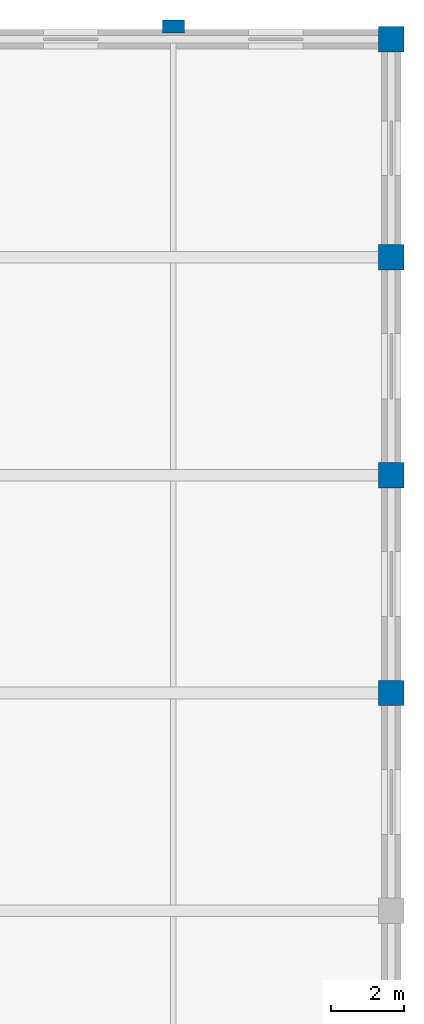
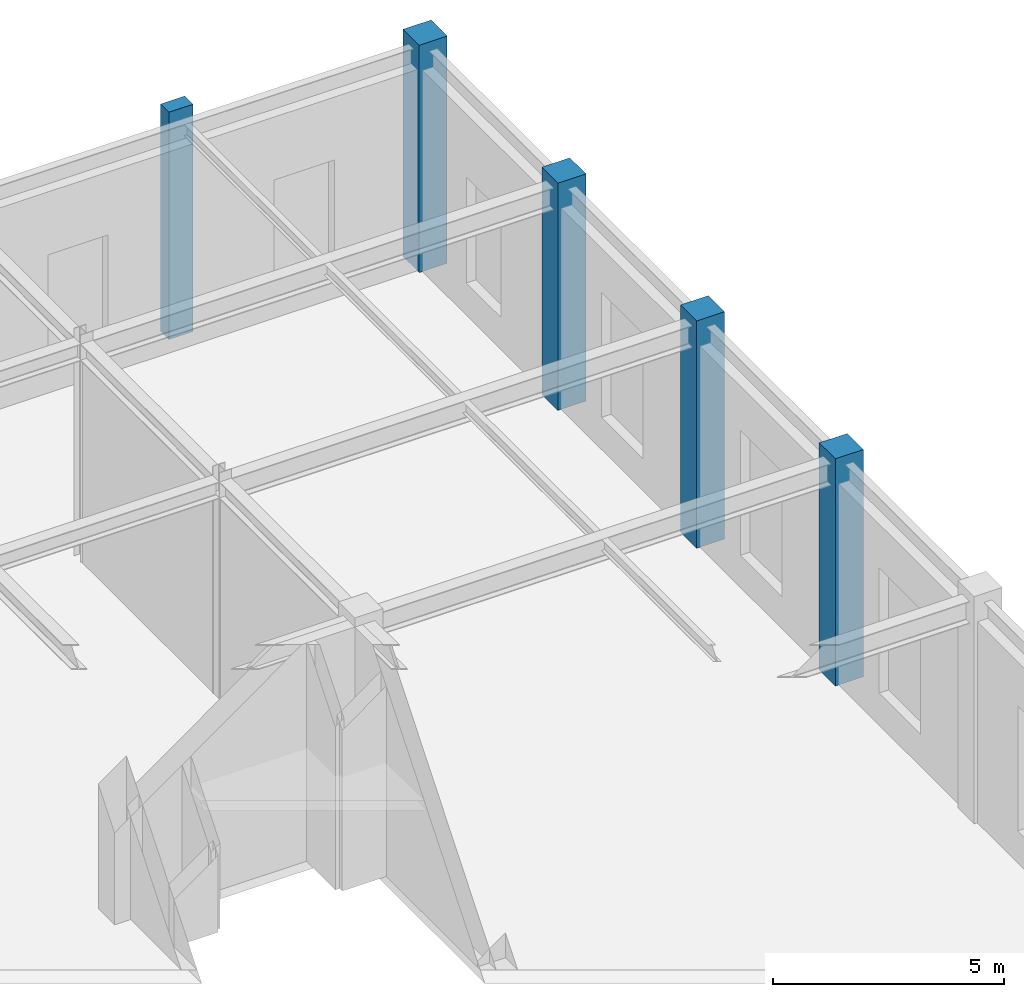
# One storey, part 27 of 108: 5 columns.
"""IFC4 building model written with IfcOpenShell, lengths in metres."""

import ifcopenshell
import ifcopenshell.guid

model = None  # the IFC model being written
_history = None  # IfcOwnerHistory: only IFC2X3 demands one
_inside = {}  # id of a spatial element -> (the spatial element, [elements in it])
_under = {}  # id of a project, library or spatial element -> (it, [spatial elements below it])
_declared = {}  # id of a project -> (the project, [libraries it declares])
_typed = {}  # id of a type object -> (the type object, [elements of that type])
_made_of = {}  # id of a material, layer set ... -> (it, [elements and type objects made of it])


def new_model(schema):
    """Start an empty IFC model of exactly this schema.

    Asked for "IFC4X3", IfcOpenShell would pick the latest addendum, in which some entities
    have other attributes; the version numbers below select the first issue.
    IFC2X3 requires an IfcOwnerHistory on every rooted entity: one is made here for all.
    """
    global model, _history
    if schema == "IFC4X3":
        model = ifcopenshell.file(schema_version=(4, 3, 0, 0))
    else:
        model = ifcopenshell.file(schema=schema)
    _inside.clear()
    _under.clear()
    _declared.clear()
    _typed.clear()
    _made_of.clear()
    _history = None
    if model.schema == "IFC2X3":
        org = make("IfcOrganization", Name="unknown")
        user = make(
            "IfcPersonAndOrganization",
            ThePerson=make("IfcPerson", FamilyName="unknown"),
            TheOrganization=org,
        )
        app = make(
            "IfcApplication",
            ApplicationDeveloper=org,
            Version="unknown",
            ApplicationFullName="unknown",
            ApplicationIdentifier="unknown",
        )
        _history = make(
            "IfcOwnerHistory",
            OwningUser=user,
            OwningApplication=app,
            ChangeAction="ADDED",
            CreationDate=0,
        )
    return model


def make(cls, **values):
    """One entity of the class cls with the attributes given. An attribute that is None is left unset."""
    return model.create_entity(
        cls, **{name: value for name, value in values.items() if value is not None}
    )


def rooted(cls, **values):
    """An entity with a GlobalId (a new one), such as an element, a storey or a relation."""
    return make(cls, GlobalId=ifcopenshell.guid.new(), OwnerHistory=_history, **values)


def si_unit(unit_type, name, prefix=None):
    """IfcSIUnit, for example si_unit("LENGTHUNIT", "METRE", prefix="MILLI")."""
    return make("IfcSIUnit", UnitType=unit_type, Prefix=prefix, Name=name)


def assignment(units):
    """IfcUnitAssignment: the units of a project."""
    return None if units is None else make("IfcUnitAssignment", Units=units)


def point(xyz):
    """IfcCartesianPoint."""
    return None if xyz is None else make("IfcCartesianPoint", Coordinates=xyz)


def direction(xyz):
    """IfcDirection."""
    return None if xyz is None else make("IfcDirection", DirectionRatios=xyz)


def frame(location, z_axis=None, x_axis=None):
    """IfcAxis2Placement3D, a coordinate frame: its origin and axes. An axis left out is left unset."""
    return make(
        "IfcAxis2Placement3D",
        Location=point(location),
        Axis=direction(z_axis),
        RefDirection=direction(x_axis),
    )


def frame_2d(location, x_axis=None):
    """IfcAxis2Placement2D, a coordinate frame in the plane: its origin and x axis."""
    return make(
        "IfcAxis2Placement2D", Location=point(location), RefDirection=direction(x_axis)
    )


def origin():
    """The frame at (0, 0, 0) with its axes left unset."""
    return frame((0.0, 0.0, 0.0))


def origin_2d():
    """The frame at (0, 0) in the plane with its x axis left unset."""
    return frame_2d((0.0, 0.0))


def place(relative_to, where):
    """IfcLocalPlacement: puts the frame where relative to a parent placement (None: the world)."""
    return make(
        "IfcLocalPlacement", PlacementRelTo=relative_to, RelativePlacement=where
    )


def context(
    kind, dimensions, precision=None, world=None, true_north=None, identifier=None
):
    """IfcGeometricRepresentationContext, for example the 3D "Model" context."""
    return make(
        "IfcGeometricRepresentationContext",
        ContextIdentifier=identifier,
        ContextType=kind,
        CoordinateSpaceDimension=dimensions,
        Precision=precision,
        WorldCoordinateSystem=world,
        TrueNorth=true_north,
    )


def subcontext(parent, identifier, kind, view, scale=None):
    """IfcGeometricRepresentationSubContext, for example "Body" below "Model"."""
    return make(
        "IfcGeometricRepresentationSubContext",
        ContextIdentifier=identifier,
        ContextType=kind,
        ParentContext=parent,
        TargetScale=scale,
        TargetView=view,
    )


def project(units=None, contexts=None):
    """IfcProject with its units and contexts."""
    return rooted(
        "IfcProject",
        Name="project",
        RepresentationContexts=contexts,
        UnitsInContext=assignment(units),
    )


def spatial(cls, under=None, at=None, **own):
    """A site, building, storey or space (cls), placed at a placement, below another one or the project."""
    s = rooted(cls, ObjectPlacement=at, **own)
    if under is not None:
        _under.setdefault(under.id(), (under, []))[1].append(s)
    return s


def profile(cls, at=None, kind="AREA", **sizes):
    """A parametric profile (cls). Its sizes go by their IFC names, for example OverallWidth=200.0."""
    return make(cls, ProfileType=kind, Position=at, **sizes)


def rectangle(**sizes):
    """IfcRectangleProfileDef."""
    return profile("IfcRectangleProfileDef", **sizes)


def extrude(swept, where, along, depth):
    """IfcExtrudedAreaSolid: the profile swept, set in the frame where, extruded along a direction by depth."""
    return make(
        "IfcExtrudedAreaSolid",
        SweptArea=swept,
        Position=where,
        ExtrudedDirection=direction(along),
        Depth=depth,
    )


def shape(context_of_items, identifier, shape_type, items):
    """IfcShapeRepresentation: the items that make up one representation, for example the "Body"."""
    return make(
        "IfcShapeRepresentation",
        ContextOfItems=context_of_items,
        RepresentationIdentifier=identifier,
        RepresentationType=shape_type,
        Items=items,
    )


def material(Name=None, Category=None):
    """IfcMaterial."""
    return make("IfcMaterial", Name=Name, Category=Category)


def material_profile(
    of_material, cross_section, Name=None, Category=None, Priority=None
):
    """IfcMaterialProfile: a cross section and its material."""
    return make(
        "IfcMaterialProfile",
        Name=Name,
        Material=of_material,
        Profile=cross_section,
        Priority=Priority,
        Category=Category,
    )


def profile_set(profiles, Name=None, composite=None):
    """IfcMaterialProfileSet."""
    return make(
        "IfcMaterialProfileSet",
        Name=Name,
        MaterialProfiles=profiles,
        CompositeProfile=composite,
    )


def made_of(thing, what):
    """Note that an element or type object is made of a material, layer set ...; save() writes the relation."""
    if what is not None:
        _made_of.setdefault(what.id(), (what, []))[1].append(thing)
    return thing


def type_object(cls, material=None, **own):
    """A type object (cls), such as IfcWallType, which elements share."""
    return made_of(rooted(cls, **own), material)


def element(
    cls,
    number,
    at=None,
    inside=None,
    cuts=None,
    type_object=None,
    material=None,
    context=None,
    identifier="Body",
    shape_type=None,
    held_by="IfcProductDefinitionShape",
    body=None,
    shapes=None,
    **own,
):
    """One element of the class cls, such as IfcWall. Its Tag is "e" and its number.

    at: its placement. inside: the storey or other place that contains it. cuts: it is an
    opening in that element (IfcRelVoidsElement). A single representation is given by context,
    identifier, shape_type and body (its items); several are given by shapes. held_by: the class
    of the entity that holds the representations. save() writes the other relations.
    """
    e = rooted(cls, Tag="e%d" % number, ObjectPlacement=at, **own)
    if body is not None:
        shapes = [shape(context, identifier, shape_type, body)]
    if shapes is not None:
        e.Representation = make(held_by, Representations=shapes)
    if inside is not None:
        _inside.setdefault(inside.id(), (inside, []))[1].append(e)
    if cuts is not None:
        rooted(
            "IfcRelVoidsElement", RelatingBuildingElement=cuts, RelatedOpeningElement=e
        )
    if type_object is not None:
        _typed.setdefault(type_object.id(), (type_object, []))[1].append(e)
    return made_of(e, material)


def aggregate(whole, parts):
    """IfcRelAggregates: a whole, such as a stair, and the parts it consists of."""
    return rooted("IfcRelAggregates", RelatingObject=whole, RelatedObjects=parts)


def save(model, path):
    """Write the relations noted so far, then the file.

    IfcRelAggregates (storeys below a building ...), IfcRelContainedInSpatialStructure (elements
    in a storey), IfcRelDefinesByType, IfcRelAssociatesMaterial and IfcRelDeclares: one each for
    every whole, place, type object, material and project.
    """
    for whole, parts in _under.values():
        aggregate(whole, parts)
    for where, things in _inside.values():
        rooted(
            "IfcRelContainedInSpatialStructure",
            RelatedElements=things,
            RelatingStructure=where,
        )
    for kind, things in _typed.values():
        rooted("IfcRelDefinesByType", RelatedObjects=things, RelatingType=kind)
    for what, things in _made_of.values():
        rooted("IfcRelAssociatesMaterial", RelatedObjects=things, RelatingMaterial=what)
    for by, libraries in _declared.values():
        rooted("IfcRelDeclares", RelatingContext=by, RelatedDefinitions=libraries)
    model.write(path)


model = new_model("IFC4")

# Units and contexts
model_context = context("Model", 3, precision=1e-05, world=origin(), true_north=direction((0.0, 1.0)))
body_context = subcontext(model_context, "Body", "Model", "MODEL_VIEW")
ifc_project = project(units=[si_unit("LENGTHUNIT", "METRE"), si_unit("AREAUNIT", "SQUARE_METRE"), si_unit("VOLUMEUNIT", "CUBIC_METRE"), si_unit("PLANEANGLEUNIT", "RADIAN"), si_unit("MASSUNIT", "GRAM", prefix="KILO")], contexts=[model_context])

# Site, building, storey
site_placement = place(None, origin())
site = spatial("IfcSite", under=ifc_project, at=site_placement, CompositionType="ELEMENT")
building_placement = place(site_placement, origin())
building = spatial("IfcBuilding", under=site, at=building_placement, Name="Zlatovratsky Civic Hall", CompositionType="ELEMENT")
storey_placement = place(building_placement, frame((0.0, 0.0, 6.0)))
storey = spatial("IfcBuildingStorey", under=building, at=storey_placement, Name="L02", CompositionType="ELEMENT", Elevation=6.0)

# Columns
ifc_material = material(Name="Concrete C35/45 (B40)", Category="concrete")
ifc_material_profile_1 = material_profile(ifc_material, rectangle(XDim=0.699951171875, YDim=0.699951171875, at=origin_2d()), Name="RC 700x700")
ifc_profile_set_1 = profile_set([ifc_material_profile_1], Name="Concrete C35/45 (B40)")
column_type_1 = type_object("IfcColumnType", Name="Col_CorePier_RC700", PredefinedType="COLUMN", material=ifc_profile_set_1)
for number, where, z_axis, x_axis, name in (
    (1, (168.0, 96.0, 0.0), (0.0, 0.0, 1.0), (1.0, 0.0, 0.0), "CL-1119"),
    (2, (168.0, 102.0, 0.0), (0.0, 0.0, 1.0), (1.0, 0.0, 0.0), "CL-1142"),
    (3, (168.0, 108.0, 0.0), (0.0, 0.0, 1.0), (1.0, 0.0, 0.0), "CL-1165"),
    (4, (168.0, 114.0, 0.0), (0.0, 0.0, 1.0), (1.0, 0.0, 0.0), "CL-1188"),
):
    element("IfcColumn", number, at=place(storey_placement, frame(where, z_axis=z_axis, x_axis=x_axis)), inside=storey, type_object=column_type_1, Name=name, PredefinedType="COLUMN", context=body_context, shape_type="SweptSolid", body=[
        extrude(rectangle(XDim=0.699951171875, YDim=0.699951171875, at=origin_2d()), origin(), (0.0, 0.0, 1.0), 6.0),
    ])
ifc_material_profile_2 = material_profile(ifc_material, rectangle(XDim=0.60009765625, YDim=0.360107421875, at=origin_2d()), Name="RC 600x360")
ifc_profile_set_2 = profile_set([ifc_material_profile_2], Name="Concrete C35/45 (B40)")
column_type_2 = type_object("IfcColumnType", Name="Pilaster_Classical_RC600x360", PredefinedType="PILASTER", material=ifc_profile_set_2)
column_placement = place(storey_placement, frame((162.0, 114.35009765625, 0.0), z_axis=(0.0, 0.0, 1.0), x_axis=(1.0, 0.0, 0.0)))
element("IfcColumn", 5, at=column_placement, inside=storey, type_object=column_type_2, Name="CL-2738", PredefinedType="PILASTER", context=body_context, shape_type="SweptSolid", body=[
    extrude(rectangle(XDim=0.60009765625, YDim=0.360107421875, at=origin_2d()), origin(), (0.0, 0.0, 1.0), 6.0),
])

save(model, "model.ifc")
